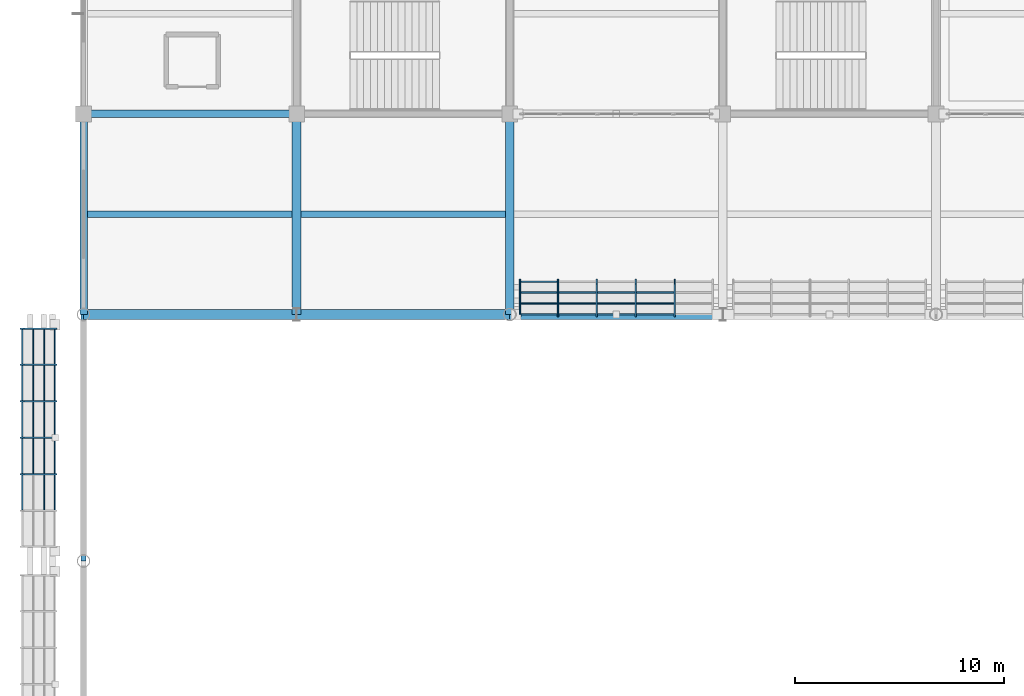
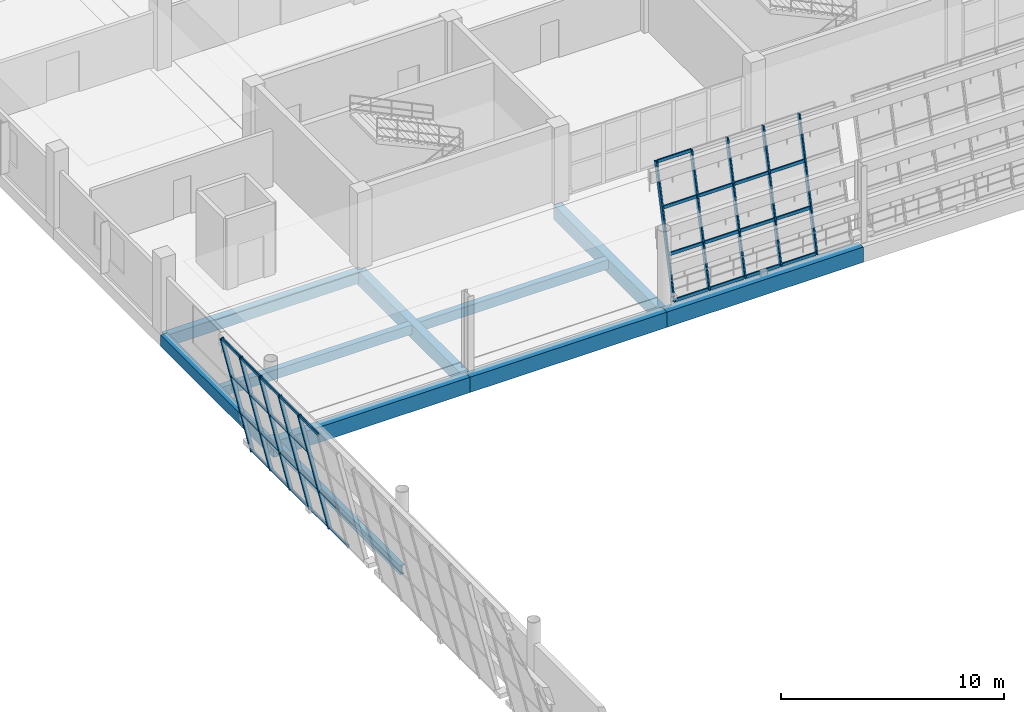
# One storey, part 33 of 157: 42 members, 10 beams, 2 elements without a shape of their own.
"""IFC4 building model written with IfcOpenShell, lengths in metres."""

from ifc_helpers import new_model, si_unit, direction, frame, origin, origin_2d, place, context, subcontext, project, spatial, rectangle, hollow_rectangle, i_section, extrude, material, material_profile, profile_set, type_object, element, aggregate, save


model = new_model("IFC4")

# Units and contexts
model_context = context("Model", 3, precision=1e-05, world=origin(), true_north=direction((0.0, 1.0)))
body_context = subcontext(model_context, "Body", "Model", "MODEL_VIEW")
ifc_project = project(units=[si_unit("LENGTHUNIT", "METRE"), si_unit("AREAUNIT", "SQUARE_METRE"), si_unit("VOLUMEUNIT", "CUBIC_METRE"), si_unit("PLANEANGLEUNIT", "RADIAN"), si_unit("MASSUNIT", "GRAM", prefix="KILO")], contexts=[model_context])

# Site, building, storey
site_placement = place(None, origin())
site = spatial("IfcSite", under=ifc_project, at=site_placement, CompositionType="ELEMENT")
building_placement = place(site_placement, origin())
building = spatial("IfcBuilding", under=site, at=building_placement, Name="Brelvane Convention Centre", CompositionType="ELEMENT")
storey_placement = place(building_placement, frame((0.0, 0.0, 10.800048828125)))
storey = spatial("IfcBuildingStorey", under=building, at=storey_placement, Name="L02", CompositionType="ELEMENT", Elevation=10.800048828125)

# Curtain wall, members
ifc_material_1 = material(Name="Anodised Aluminium Alloy 6063-T6", Category="aluminium")
curtain_wall_type_1 = type_object("IfcCurtainWallType", Name="Curtain Wall CW-HULL-N", PredefinedType="USERDEFINED", material=ifc_material_1)
curtain_wall_1_placement = place(storey_placement, origin())
curtain_wall_1 = element("IfcCurtainWall", 1, at=curtain_wall_1_placement, inside=storey, type_object=curtain_wall_type_1, Name="Curtain Wall CW-HULL-N L02-V1N-HULL-03", ObjectType="UNITISED", PredefinedType="USERDEFINED")
ifc_material_2 = material(Name="Anodised Aluminium Alloy 6063-T6", Category="aluminium")
ifc_material_profile_1 = material_profile(ifc_material_2, hollow_rectangle(XDim=0.080078125, YDim=0.239990234375, WallThickness=0.006103515625, InnerFilletRadius=0.006103515625, OuterFilletRadius=0.011962890625, at=origin_2d()), Name="ALU-M 240x80x6.0")
ifc_profile_set_1 = profile_set([ifc_material_profile_1], Name="Anodised Aluminium Alloy 6063-T6")
member_type_1 = type_object("IfcMemberType", Name="Curtain Mullion CW-M1", PredefinedType="MULLION", material=ifc_profile_set_1)
member_1_placement = place(storey_placement, frame((20.889892578125, 99.60009765625, 0.0), z_axis=(0.0, 0.228324840492, 0.973585007698), x_axis=(-1.0, 0.0, 0.0)))
member_1 = element("IfcMember", 2, at=member_1_placement, type_object=member_type_1, Name="CW-HULL-N mullion 1", PredefinedType="MULLION", context=body_context, shape_type="SweptSolid", body=[
    extrude(hollow_rectangle(XDim=0.080078125, YDim=0.239990234375, WallThickness=0.006103515625, InnerFilletRadius=0.006103515625, OuterFilletRadius=0.011962890625, at=origin_2d()), origin(), (0.0, 0.0, 1.0), 6.93310546875),
])
member_2_placement = place(storey_placement, frame((22.7099609375, 99.60009765625, 0.0), z_axis=(0.0, 0.228324840492, 0.973585007698), x_axis=(-1.0, 0.0, 0.0)))
member_2 = element("IfcMember", 3, at=member_2_placement, type_object=member_type_1, Name="CW-HULL-N mullion 2", PredefinedType="MULLION", context=body_context, shape_type="SweptSolid", body=[
    extrude(hollow_rectangle(XDim=0.080078125, YDim=0.239990234375, WallThickness=0.006103515625, InnerFilletRadius=0.006103515625, OuterFilletRadius=0.011962890625, at=origin_2d()), origin(), (0.0, 0.0, 1.0), 6.93310546875),
])
member_3_placement = place(storey_placement, frame((24.570068359375, 99.60009765625, 0.0), z_axis=(0.0, 0.228324840492, 0.973585007698), x_axis=(-1.0, 0.0, 0.0)))
member_3 = element("IfcMember", 4, at=member_3_placement, type_object=member_type_1, Name="CW-HULL-N mullion 3", PredefinedType="MULLION", context=body_context, shape_type="SweptSolid", body=[
    extrude(hollow_rectangle(XDim=0.080078125, YDim=0.239990234375, WallThickness=0.006103515625, InnerFilletRadius=0.006103515625, OuterFilletRadius=0.011962890625, at=origin_2d()), origin(), (0.0, 0.0, 1.0), 6.93310546875),
])
member_4_placement = place(storey_placement, frame((26.429931640625, 99.60009765625, 0.0), z_axis=(0.0, 0.228324840492, 0.973585007698), x_axis=(-1.0, 0.0, 0.0)))
member_4 = element("IfcMember", 5, at=member_4_placement, type_object=member_type_1, Name="CW-HULL-N mullion 4", PredefinedType="MULLION", context=body_context, shape_type="SweptSolid", body=[
    extrude(hollow_rectangle(XDim=0.080078125, YDim=0.239990234375, WallThickness=0.006103515625, InnerFilletRadius=0.006103515625, OuterFilletRadius=0.011962890625, at=origin_2d()), origin(), (0.0, 0.0, 1.0), 6.93310546875),
])
member_5_placement = place(storey_placement, frame((28.2900390625, 99.60009765625, 0.0), z_axis=(0.0, 0.228324840492, 0.973585007698), x_axis=(-1.0, 0.0, 0.0)))
member_5 = element("IfcMember", 6, at=member_5_placement, type_object=member_type_1, Name="CW-HULL-N mullion 5", PredefinedType="MULLION", context=body_context, shape_type="SweptSolid", body=[
    extrude(hollow_rectangle(XDim=0.080078125, YDim=0.239990234375, WallThickness=0.006103515625, InnerFilletRadius=0.006103515625, OuterFilletRadius=0.011962890625, at=origin_2d()), origin(), (0.0, 0.0, 1.0), 6.93310546875),
])

ifc_material_3 = material(Name="Anodised Aluminium Alloy 6063-T6", Category="aluminium")
curtain_wall_type_2 = type_object("IfcCurtainWallType", Name="Curtain Wall CW-HULL-S", PredefinedType="USERDEFINED", material=ifc_material_3)
curtain_wall_2_placement = place(storey_placement, origin())
curtain_wall_2 = element("IfcCurtainWall", 7, at=curtain_wall_2_placement, inside=storey, type_object=curtain_wall_type_2, Name="Curtain Wall CW-HULL-S L02-HULL-W-L02-6", ObjectType="UNITISED", PredefinedType="USERDEFINED")
ifc_material_4 = material(Name="Anodised Aluminium Alloy 6063-T6", Category="aluminium")
ifc_material_profile_2 = material_profile(ifc_material_4, hollow_rectangle(XDim=0.074951171875, YDim=0.199951171875, WallThickness=0.0048828125, InnerFilletRadius=0.0048828125, OuterFilletRadius=0.010009765625, at=origin_2d()), Name="ALU-M 200x75x5.0")
ifc_profile_set_2 = profile_set([ifc_material_profile_2], Name="Anodised Aluminium Alloy 6063-T6")
member_type_2 = type_object("IfcMemberType", Name="Curtain Mullion CW-M2", PredefinedType="MULLION", material=ifc_profile_set_2)
member_6_placement = place(storey_placement, frame((-1.360107421875, 91.949951171875, 0.0), z_axis=(-0.228324840492, 0.0, 0.973585007698), x_axis=(0.0, -1.0, 0.0)))
member_6 = element("IfcMember", 8, at=member_6_placement, type_object=member_type_2, Name="CW-HULL-S mullion 3", PredefinedType="MULLION", context=body_context, shape_type="SweptSolid", body=[
    extrude(hollow_rectangle(XDim=0.074951171875, YDim=0.199951171875, WallThickness=0.0048828125, InnerFilletRadius=0.0048828125, OuterFilletRadius=0.010009765625, at=origin_2d()), origin(), (0.0, 0.0, 1.0), 6.93310546875),
])
member_7_placement = place(storey_placement, frame((-1.360107421875, 93.699951171875, 0.0), z_axis=(-0.228324840492, 0.0, 0.973585007698), x_axis=(0.0, -1.0, 0.0)))
member_7 = element("IfcMember", 9, at=member_7_placement, type_object=member_type_2, Name="CW-HULL-S mullion 4", PredefinedType="MULLION", context=body_context, shape_type="SweptSolid", body=[
    extrude(hollow_rectangle(XDim=0.074951171875, YDim=0.199951171875, WallThickness=0.0048828125, InnerFilletRadius=0.0048828125, OuterFilletRadius=0.010009765625, at=origin_2d()), origin(), (0.0, 0.0, 1.0), 6.93310546875),
])
member_8_placement = place(storey_placement, frame((-1.360107421875, 95.449951171875, 0.0), z_axis=(-0.228324840492, 0.0, 0.973585007698), x_axis=(0.0, -1.0, 0.0)))
member_8 = element("IfcMember", 10, at=member_8_placement, type_object=member_type_2, Name="CW-HULL-S mullion 5", PredefinedType="MULLION", context=body_context, shape_type="SweptSolid", body=[
    extrude(hollow_rectangle(XDim=0.074951171875, YDim=0.199951171875, WallThickness=0.0048828125, InnerFilletRadius=0.0048828125, OuterFilletRadius=0.010009765625, at=origin_2d()), origin(), (0.0, 0.0, 1.0), 6.93310546875),
])
member_9_placement = place(storey_placement, frame((-1.360107421875, 97.199951171875, 0.0), z_axis=(-0.228324840492, 0.0, 0.973585007698), x_axis=(0.0, -1.0, 0.0)))
member_9 = element("IfcMember", 11, at=member_9_placement, type_object=member_type_2, Name="CW-HULL-S mullion 6", PredefinedType="MULLION", context=body_context, shape_type="SweptSolid", body=[
    extrude(hollow_rectangle(XDim=0.074951171875, YDim=0.199951171875, WallThickness=0.0048828125, InnerFilletRadius=0.0048828125, OuterFilletRadius=0.010009765625, at=origin_2d()), origin(), (0.0, 0.0, 1.0), 6.93310546875),
])
member_10_placement = place(storey_placement, frame((-1.360107421875, 98.91259765625, 0.0), z_axis=(-0.228324840492, 0.0, 0.973585007698), x_axis=(0.0, -1.0, 0.0)))
member_10 = element("IfcMember", 12, at=member_10_placement, type_object=member_type_2, Name="CW-HULL-S mullion 7", PredefinedType="MULLION", context=body_context, shape_type="SweptSolid", body=[
    extrude(hollow_rectangle(XDim=0.074951171875, YDim=0.199951171875, WallThickness=0.0048828125, InnerFilletRadius=0.0048828125, OuterFilletRadius=0.010009765625, at=origin_2d()), origin(), (0.0, 0.0, 1.0), 6.93310546875),
])

# Member
ifc_material_5 = material(Name="Anodised Aluminium Alloy 6063-T6", Category="aluminium")
ifc_material_profile_3 = material_profile(ifc_material_5, hollow_rectangle(XDim=0.080078125, YDim=0.179931640625, WallThickness=0.0048828125, InnerFilletRadius=0.0048828125, OuterFilletRadius=0.010009765625, at=origin_2d()), Name="ALU-T 180x80x5.0")
ifc_profile_set_3 = profile_set([ifc_material_profile_3], Name="Anodised Aluminium Alloy 6063-T6")
member_type_3 = type_object("IfcMemberType", Name="Curtain Transom CW-T1", PredefinedType="USERDEFINED", material=ifc_profile_set_3)
member_11_placement = place(storey_placement, frame((20.929931640625, 99.609375, 0.0400390625), z_axis=(1.0, 0.0, 0.0), x_axis=(0.0, 1.0, 0.0)))
member_11 = element("IfcMember", 13, at=member_11_placement, type_object=member_type_3, Name="CW-HULL-N transom 1.1", ObjectType="TRANSOM", PredefinedType="USERDEFINED", context=body_context, shape_type="SweptSolid", body=[
    extrude(hollow_rectangle(XDim=0.080078125, YDim=0.179931640625, WallThickness=0.0048828125, InnerFilletRadius=0.0048828125, OuterFilletRadius=0.010009765625, at=origin_2d()), origin(), (0.0, 0.0, 1.0), 1.739990234375),
])

member_12_placement = place(storey_placement, frame((20.929931640625, 100.127685546875, 2.25), z_axis=(1.0, 0.0, 0.0), x_axis=(0.0, 1.0, 0.0)))
member_12 = element("IfcMember", 14, at=member_12_placement, type_object=member_type_3, Name="CW-HULL-N transom 1.2", ObjectType="TRANSOM", PredefinedType="USERDEFINED", context=body_context, shape_type="SweptSolid", body=[
    extrude(hollow_rectangle(XDim=0.080078125, YDim=0.179931640625, WallThickness=0.0048828125, InnerFilletRadius=0.0048828125, OuterFilletRadius=0.010009765625, at=origin_2d()), origin(), (0.0, 0.0, 1.0), 1.739990234375),
])

member_13_placement = place(storey_placement, frame((20.929931640625, 100.655517578125, 4.5), z_axis=(1.0, 0.0, 0.0), x_axis=(0.0, 1.0, 0.0)))
member_13 = element("IfcMember", 15, at=member_13_placement, type_object=member_type_3, Name="CW-HULL-N transom 1.3", ObjectType="TRANSOM", PredefinedType="USERDEFINED", context=body_context, shape_type="SweptSolid", body=[
    extrude(hollow_rectangle(XDim=0.080078125, YDim=0.179931640625, WallThickness=0.0048828125, InnerFilletRadius=0.0048828125, OuterFilletRadius=0.010009765625, at=origin_2d()), origin(), (0.0, 0.0, 1.0), 1.739990234375),
])

member_14_placement = place(storey_placement, frame((20.929931640625, 101.173828125, 6.7099609375), z_axis=(1.0, 0.0, 0.0), x_axis=(0.0, 1.0, 0.0)))
member_14 = element("IfcMember", 16, at=member_14_placement, type_object=member_type_3, Name="CW-HULL-N transom 1.4", ObjectType="TRANSOM", PredefinedType="USERDEFINED", context=body_context, shape_type="SweptSolid", body=[
    extrude(hollow_rectangle(XDim=0.080078125, YDim=0.179931640625, WallThickness=0.0048828125, InnerFilletRadius=0.0048828125, OuterFilletRadius=0.010009765625, at=origin_2d()), origin(), (0.0, 0.0, 1.0), 1.739990234375),
])

member_15_placement = place(storey_placement, frame((22.75, 99.609375, 0.0400390625), z_axis=(1.0, 0.0, 0.0), x_axis=(0.0, 1.0, 0.0)))
member_15 = element("IfcMember", 17, at=member_15_placement, type_object=member_type_3, Name="CW-HULL-N transom 2.1", ObjectType="TRANSOM", PredefinedType="USERDEFINED", context=body_context, shape_type="SweptSolid", body=[
    extrude(hollow_rectangle(XDim=0.080078125, YDim=0.179931640625, WallThickness=0.0048828125, InnerFilletRadius=0.0048828125, OuterFilletRadius=0.010009765625, at=origin_2d()), origin(), (0.0, 0.0, 1.0), 1.780029296875),
])

member_16_placement = place(storey_placement, frame((22.75, 100.127685546875, 2.25), z_axis=(1.0, 0.0, 0.0), x_axis=(0.0, 1.0, 0.0)))
member_16 = element("IfcMember", 18, at=member_16_placement, type_object=member_type_3, Name="CW-HULL-N transom 2.2", ObjectType="TRANSOM", PredefinedType="USERDEFINED", context=body_context, shape_type="SweptSolid", body=[
    extrude(hollow_rectangle(XDim=0.080078125, YDim=0.179931640625, WallThickness=0.0048828125, InnerFilletRadius=0.0048828125, OuterFilletRadius=0.010009765625, at=origin_2d()), origin(), (0.0, 0.0, 1.0), 1.780029296875),
])

member_17_placement = place(storey_placement, frame((22.75, 100.655517578125, 4.5), z_axis=(1.0, 0.0, 0.0), x_axis=(0.0, 1.0, 0.0)))
member_17 = element("IfcMember", 19, at=member_17_placement, type_object=member_type_3, Name="CW-HULL-N transom 2.3", ObjectType="TRANSOM", PredefinedType="USERDEFINED", context=body_context, shape_type="SweptSolid", body=[
    extrude(hollow_rectangle(XDim=0.080078125, YDim=0.179931640625, WallThickness=0.0048828125, InnerFilletRadius=0.0048828125, OuterFilletRadius=0.010009765625, at=origin_2d()), origin(), (0.0, 0.0, 1.0), 1.780029296875),
])

member_18_placement = place(storey_placement, frame((24.610107421875, 99.609375, 0.0400390625), z_axis=(1.0, 0.0, 0.0), x_axis=(0.0, 1.0, 0.0)))
member_18 = element("IfcMember", 20, at=member_18_placement, type_object=member_type_3, Name="CW-HULL-N transom 3.1", ObjectType="TRANSOM", PredefinedType="USERDEFINED", context=body_context, shape_type="SweptSolid", body=[
    extrude(hollow_rectangle(XDim=0.080078125, YDim=0.179931640625, WallThickness=0.0048828125, InnerFilletRadius=0.0048828125, OuterFilletRadius=0.010009765625, at=origin_2d()), origin(), (0.0, 0.0, 1.0), 1.77978515625),
])

member_19_placement = place(storey_placement, frame((24.610107421875, 100.127685546875, 2.25), z_axis=(1.0, 0.0, 0.0), x_axis=(0.0, 1.0, 0.0)))
member_19 = element("IfcMember", 21, at=member_19_placement, type_object=member_type_3, Name="CW-HULL-N transom 3.2", ObjectType="TRANSOM", PredefinedType="USERDEFINED", context=body_context, shape_type="SweptSolid", body=[
    extrude(hollow_rectangle(XDim=0.080078125, YDim=0.179931640625, WallThickness=0.0048828125, InnerFilletRadius=0.0048828125, OuterFilletRadius=0.010009765625, at=origin_2d()), origin(), (0.0, 0.0, 1.0), 1.77978515625),
])

member_20_placement = place(storey_placement, frame((24.610107421875, 100.655517578125, 4.5), z_axis=(1.0, 0.0, 0.0), x_axis=(0.0, 1.0, 0.0)))
member_20 = element("IfcMember", 22, at=member_20_placement, type_object=member_type_3, Name="CW-HULL-N transom 3.3", ObjectType="TRANSOM", PredefinedType="USERDEFINED", context=body_context, shape_type="SweptSolid", body=[
    extrude(hollow_rectangle(XDim=0.080078125, YDim=0.179931640625, WallThickness=0.0048828125, InnerFilletRadius=0.0048828125, OuterFilletRadius=0.010009765625, at=origin_2d()), origin(), (0.0, 0.0, 1.0), 1.77978515625),
])

member_21_placement = place(storey_placement, frame((26.469970703125, 99.609375, 0.0400390625), z_axis=(1.0, 0.0, 0.0), x_axis=(0.0, 1.0, 0.0)))
member_21 = element("IfcMember", 23, at=member_21_placement, type_object=member_type_3, Name="CW-HULL-N transom 4.1", ObjectType="TRANSOM", PredefinedType="USERDEFINED", context=body_context, shape_type="SweptSolid", body=[
    extrude(hollow_rectangle(XDim=0.080078125, YDim=0.179931640625, WallThickness=0.0048828125, InnerFilletRadius=0.0048828125, OuterFilletRadius=0.010009765625, at=origin_2d()), origin(), (0.0, 0.0, 1.0), 1.780029296875),
])

member_22_placement = place(storey_placement, frame((26.469970703125, 100.127685546875, 2.25), z_axis=(1.0, 0.0, 0.0), x_axis=(0.0, 1.0, 0.0)))
member_22 = element("IfcMember", 24, at=member_22_placement, type_object=member_type_3, Name="CW-HULL-N transom 4.2", ObjectType="TRANSOM", PredefinedType="USERDEFINED", context=body_context, shape_type="SweptSolid", body=[
    extrude(hollow_rectangle(XDim=0.080078125, YDim=0.179931640625, WallThickness=0.0048828125, InnerFilletRadius=0.0048828125, OuterFilletRadius=0.010009765625, at=origin_2d()), origin(), (0.0, 0.0, 1.0), 1.780029296875),
])

member_23_placement = place(storey_placement, frame((26.469970703125, 100.655517578125, 4.5), z_axis=(1.0, 0.0, 0.0), x_axis=(0.0, 1.0, 0.0)))
member_23 = element("IfcMember", 25, at=member_23_placement, type_object=member_type_3, Name="CW-HULL-N transom 4.3", ObjectType="TRANSOM", PredefinedType="USERDEFINED", context=body_context, shape_type="SweptSolid", body=[
    extrude(hollow_rectangle(XDim=0.080078125, YDim=0.179931640625, WallThickness=0.0048828125, InnerFilletRadius=0.0048828125, OuterFilletRadius=0.010009765625, at=origin_2d()), origin(), (0.0, 0.0, 1.0), 1.780029296875),
])

aggregate(curtain_wall_1, [member_1, member_2, member_3, member_4, member_5, member_11, member_12, member_13, member_14, member_15, member_16, member_17, member_18, member_19, member_20, member_21, member_22, member_23])

ifc_material_6 = material(Name="Anodised Aluminium Alloy 6063-T6", Category="aluminium")
ifc_material_profile_4 = material_profile(ifc_material_6, hollow_rectangle(XDim=0.070068359375, YDim=0.14990234375, WallThickness=0.00439453125, InnerFilletRadius=0.00439453125, OuterFilletRadius=0.009033203125, at=origin_2d()), Name="ALU-T 150x70x4.5")
ifc_profile_set_4 = profile_set([ifc_material_profile_4], Name="Anodised Aluminium Alloy 6063-T6")
member_type_4 = type_object("IfcMemberType", Name="Curtain Transom CW-T2", PredefinedType="USERDEFINED", material=ifc_profile_set_4)
member_24_placement = place(storey_placement, frame((-1.3681640625, 90.237548828125, 0.034912109375), z_axis=(0.0, 1.0, 0.0), x_axis=(-1.0, 0.0, 0.0)))
member_24 = element("IfcMember", 26, at=member_24_placement, type_object=member_type_4, Name="CW-HULL-S transom 2.1", ObjectType="TRANSOM", PredefinedType="USERDEFINED", context=body_context, shape_type="SweptSolid", body=[
    extrude(hollow_rectangle(XDim=0.070068359375, YDim=0.14990234375, WallThickness=0.00439453125, InnerFilletRadius=0.00439453125, OuterFilletRadius=0.009033203125, at=origin_2d()), origin(), (0.0, 0.0, 1.0), 1.675048828125),
])

member_25_placement = place(storey_placement, frame((-1.8876953125, 90.237548828125, 2.25), z_axis=(0.0, 1.0, 0.0), x_axis=(-1.0, 0.0, 0.0)))
member_25 = element("IfcMember", 27, at=member_25_placement, type_object=member_type_4, Name="CW-HULL-S transom 2.2", ObjectType="TRANSOM", PredefinedType="USERDEFINED", context=body_context, shape_type="SweptSolid", body=[
    extrude(hollow_rectangle(XDim=0.070068359375, YDim=0.14990234375, WallThickness=0.00439453125, InnerFilletRadius=0.00439453125, OuterFilletRadius=0.009033203125, at=origin_2d()), origin(), (0.0, 0.0, 1.0), 1.675048828125),
])

member_26_placement = place(storey_placement, frame((-2.93505859375, 90.237548828125, 6.71484375), z_axis=(0.0, 1.0, 0.0), x_axis=(-1.0, 0.0, 0.0)))
member_26 = element("IfcMember", 28, at=member_26_placement, type_object=member_type_4, Name="CW-HULL-S transom 2.4", ObjectType="TRANSOM", PredefinedType="USERDEFINED", context=body_context, shape_type="SweptSolid", body=[
    extrude(hollow_rectangle(XDim=0.070068359375, YDim=0.14990234375, WallThickness=0.00439453125, InnerFilletRadius=0.00439453125, OuterFilletRadius=0.009033203125, at=origin_2d()), origin(), (0.0, 0.0, 1.0), 1.675048828125),
])

member_27_placement = place(storey_placement, frame((-1.3681640625, 91.987548828125, 0.034912109375), z_axis=(0.0, 1.0, 0.0), x_axis=(-1.0, 0.0, 0.0)))
member_27 = element("IfcMember", 29, at=member_27_placement, type_object=member_type_4, Name="CW-HULL-S transom 3.1", ObjectType="TRANSOM", PredefinedType="USERDEFINED", context=body_context, shape_type="SweptSolid", body=[
    extrude(hollow_rectangle(XDim=0.070068359375, YDim=0.14990234375, WallThickness=0.00439453125, InnerFilletRadius=0.00439453125, OuterFilletRadius=0.009033203125, at=origin_2d()), origin(), (0.0, 0.0, 1.0), 1.675048828125),
])

member_28_placement = place(storey_placement, frame((-1.8876953125, 91.987548828125, 2.25), z_axis=(0.0, 1.0, 0.0), x_axis=(-1.0, 0.0, 0.0)))
member_28 = element("IfcMember", 30, at=member_28_placement, type_object=member_type_4, Name="CW-HULL-S transom 3.2", ObjectType="TRANSOM", PredefinedType="USERDEFINED", context=body_context, shape_type="SweptSolid", body=[
    extrude(hollow_rectangle(XDim=0.070068359375, YDim=0.14990234375, WallThickness=0.00439453125, InnerFilletRadius=0.00439453125, OuterFilletRadius=0.009033203125, at=origin_2d()), origin(), (0.0, 0.0, 1.0), 1.675048828125),
])

member_29_placement = place(storey_placement, frame((-2.41552734375, 91.987548828125, 4.5), z_axis=(0.0, 1.0, 0.0), x_axis=(-1.0, 0.0, 0.0)))
member_29 = element("IfcMember", 31, at=member_29_placement, type_object=member_type_4, Name="CW-HULL-S transom 3.3", ObjectType="TRANSOM", PredefinedType="USERDEFINED", context=body_context, shape_type="SweptSolid", body=[
    extrude(hollow_rectangle(XDim=0.070068359375, YDim=0.14990234375, WallThickness=0.00439453125, InnerFilletRadius=0.00439453125, OuterFilletRadius=0.009033203125, at=origin_2d()), origin(), (0.0, 0.0, 1.0), 1.675048828125),
])

member_30_placement = place(storey_placement, frame((-2.93505859375, 91.987548828125, 6.71484375), z_axis=(0.0, 1.0, 0.0), x_axis=(-1.0, 0.0, 0.0)))
member_30 = element("IfcMember", 32, at=member_30_placement, type_object=member_type_4, Name="CW-HULL-S transom 3.4", ObjectType="TRANSOM", PredefinedType="USERDEFINED", context=body_context, shape_type="SweptSolid", body=[
    extrude(hollow_rectangle(XDim=0.070068359375, YDim=0.14990234375, WallThickness=0.00439453125, InnerFilletRadius=0.00439453125, OuterFilletRadius=0.009033203125, at=origin_2d()), origin(), (0.0, 0.0, 1.0), 1.675048828125),
])

member_31_placement = place(storey_placement, frame((-1.3681640625, 93.737548828125, 0.034912109375), z_axis=(0.0, 1.0, 0.0), x_axis=(-1.0, 0.0, 0.0)))
member_31 = element("IfcMember", 33, at=member_31_placement, type_object=member_type_4, Name="CW-HULL-S transom 4.1", ObjectType="TRANSOM", PredefinedType="USERDEFINED", context=body_context, shape_type="SweptSolid", body=[
    extrude(hollow_rectangle(XDim=0.070068359375, YDim=0.14990234375, WallThickness=0.00439453125, InnerFilletRadius=0.00439453125, OuterFilletRadius=0.009033203125, at=origin_2d()), origin(), (0.0, 0.0, 1.0), 1.675048828125),
])

member_32_placement = place(storey_placement, frame((-1.8876953125, 93.737548828125, 2.25), z_axis=(0.0, 1.0, 0.0), x_axis=(-1.0, 0.0, 0.0)))
member_32 = element("IfcMember", 34, at=member_32_placement, type_object=member_type_4, Name="CW-HULL-S transom 4.2", ObjectType="TRANSOM", PredefinedType="USERDEFINED", context=body_context, shape_type="SweptSolid", body=[
    extrude(hollow_rectangle(XDim=0.070068359375, YDim=0.14990234375, WallThickness=0.00439453125, InnerFilletRadius=0.00439453125, OuterFilletRadius=0.009033203125, at=origin_2d()), origin(), (0.0, 0.0, 1.0), 1.675048828125),
])

member_33_placement = place(storey_placement, frame((-2.41552734375, 93.737548828125, 4.5), z_axis=(0.0, 1.0, 0.0), x_axis=(-1.0, 0.0, 0.0)))
member_33 = element("IfcMember", 35, at=member_33_placement, type_object=member_type_4, Name="CW-HULL-S transom 4.3", ObjectType="TRANSOM", PredefinedType="USERDEFINED", context=body_context, shape_type="SweptSolid", body=[
    extrude(hollow_rectangle(XDim=0.070068359375, YDim=0.14990234375, WallThickness=0.00439453125, InnerFilletRadius=0.00439453125, OuterFilletRadius=0.009033203125, at=origin_2d()), origin(), (0.0, 0.0, 1.0), 1.675048828125),
])

member_34_placement = place(storey_placement, frame((-2.93505859375, 93.737548828125, 6.71484375), z_axis=(0.0, 1.0, 0.0), x_axis=(-1.0, 0.0, 0.0)))
member_34 = element("IfcMember", 36, at=member_34_placement, type_object=member_type_4, Name="CW-HULL-S transom 4.4", ObjectType="TRANSOM", PredefinedType="USERDEFINED", context=body_context, shape_type="SweptSolid", body=[
    extrude(hollow_rectangle(XDim=0.070068359375, YDim=0.14990234375, WallThickness=0.00439453125, InnerFilletRadius=0.00439453125, OuterFilletRadius=0.009033203125, at=origin_2d()), origin(), (0.0, 0.0, 1.0), 1.675048828125),
])

member_35_placement = place(storey_placement, frame((-1.3681640625, 95.487548828125, 0.034912109375), z_axis=(0.0, 1.0, 0.0), x_axis=(-1.0, 0.0, 0.0)))
member_35 = element("IfcMember", 37, at=member_35_placement, type_object=member_type_4, Name="CW-HULL-S transom 5.1", ObjectType="TRANSOM", PredefinedType="USERDEFINED", context=body_context, shape_type="SweptSolid", body=[
    extrude(hollow_rectangle(XDim=0.070068359375, YDim=0.14990234375, WallThickness=0.00439453125, InnerFilletRadius=0.00439453125, OuterFilletRadius=0.009033203125, at=origin_2d()), origin(), (0.0, 0.0, 1.0), 1.675048828125),
])

member_36_placement = place(storey_placement, frame((-1.8876953125, 95.487548828125, 2.25), z_axis=(0.0, 1.0, 0.0), x_axis=(-1.0, 0.0, 0.0)))
member_36 = element("IfcMember", 38, at=member_36_placement, type_object=member_type_4, Name="CW-HULL-S transom 5.2", ObjectType="TRANSOM", PredefinedType="USERDEFINED", context=body_context, shape_type="SweptSolid", body=[
    extrude(hollow_rectangle(XDim=0.070068359375, YDim=0.14990234375, WallThickness=0.00439453125, InnerFilletRadius=0.00439453125, OuterFilletRadius=0.009033203125, at=origin_2d()), origin(), (0.0, 0.0, 1.0), 1.675048828125),
])

member_37_placement = place(storey_placement, frame((-2.41552734375, 95.487548828125, 4.5), z_axis=(0.0, 1.0, 0.0), x_axis=(-1.0, 0.0, 0.0)))
member_37 = element("IfcMember", 39, at=member_37_placement, type_object=member_type_4, Name="CW-HULL-S transom 5.3", ObjectType="TRANSOM", PredefinedType="USERDEFINED", context=body_context, shape_type="SweptSolid", body=[
    extrude(hollow_rectangle(XDim=0.070068359375, YDim=0.14990234375, WallThickness=0.00439453125, InnerFilletRadius=0.00439453125, OuterFilletRadius=0.009033203125, at=origin_2d()), origin(), (0.0, 0.0, 1.0), 1.675048828125),
])

member_38_placement = place(storey_placement, frame((-2.93505859375, 95.487548828125, 6.71484375), z_axis=(0.0, 1.0, 0.0), x_axis=(-1.0, 0.0, 0.0)))
member_38 = element("IfcMember", 40, at=member_38_placement, type_object=member_type_4, Name="CW-HULL-S transom 5.4", ObjectType="TRANSOM", PredefinedType="USERDEFINED", context=body_context, shape_type="SweptSolid", body=[
    extrude(hollow_rectangle(XDim=0.070068359375, YDim=0.14990234375, WallThickness=0.00439453125, InnerFilletRadius=0.00439453125, OuterFilletRadius=0.009033203125, at=origin_2d()), origin(), (0.0, 0.0, 1.0), 1.675048828125),
])

member_39_placement = place(storey_placement, frame((-1.3681640625, 97.237548828125, 0.034912109375), z_axis=(0.0, 1.0, 0.0), x_axis=(-1.0, 0.0, 0.0)))
member_39 = element("IfcMember", 41, at=member_39_placement, type_object=member_type_4, Name="CW-HULL-S transom 6.1", ObjectType="TRANSOM", PredefinedType="USERDEFINED", context=body_context, shape_type="SweptSolid", body=[
    extrude(hollow_rectangle(XDim=0.070068359375, YDim=0.14990234375, WallThickness=0.00439453125, InnerFilletRadius=0.00439453125, OuterFilletRadius=0.009033203125, at=origin_2d()), origin(), (0.0, 0.0, 1.0), 1.637451171875),
])

member_40_placement = place(storey_placement, frame((-1.8876953125, 97.237548828125, 2.25), z_axis=(0.0, 1.0, 0.0), x_axis=(-1.0, 0.0, 0.0)))
member_40 = element("IfcMember", 42, at=member_40_placement, type_object=member_type_4, Name="CW-HULL-S transom 6.2", ObjectType="TRANSOM", PredefinedType="USERDEFINED", context=body_context, shape_type="SweptSolid", body=[
    extrude(hollow_rectangle(XDim=0.070068359375, YDim=0.14990234375, WallThickness=0.00439453125, InnerFilletRadius=0.00439453125, OuterFilletRadius=0.009033203125, at=origin_2d()), origin(), (0.0, 0.0, 1.0), 1.637451171875),
])

member_41_placement = place(storey_placement, frame((-2.41552734375, 97.237548828125, 4.5), z_axis=(0.0, 1.0, 0.0), x_axis=(-1.0, 0.0, 0.0)))
member_41 = element("IfcMember", 43, at=member_41_placement, type_object=member_type_4, Name="CW-HULL-S transom 6.3", ObjectType="TRANSOM", PredefinedType="USERDEFINED", context=body_context, shape_type="SweptSolid", body=[
    extrude(hollow_rectangle(XDim=0.070068359375, YDim=0.14990234375, WallThickness=0.00439453125, InnerFilletRadius=0.00439453125, OuterFilletRadius=0.009033203125, at=origin_2d()), origin(), (0.0, 0.0, 1.0), 1.637451171875),
])

member_42_placement = place(storey_placement, frame((-2.93505859375, 97.237548828125, 6.71484375), z_axis=(0.0, 1.0, 0.0), x_axis=(-1.0, 0.0, 0.0)))
member_42 = element("IfcMember", 44, at=member_42_placement, type_object=member_type_4, Name="CW-HULL-S transom 6.4", ObjectType="TRANSOM", PredefinedType="USERDEFINED", context=body_context, shape_type="SweptSolid", body=[
    extrude(hollow_rectangle(XDim=0.070068359375, YDim=0.14990234375, WallThickness=0.00439453125, InnerFilletRadius=0.00439453125, OuterFilletRadius=0.009033203125, at=origin_2d()), origin(), (0.0, 0.0, 1.0), 1.637451171875),
])

aggregate(curtain_wall_2, [member_6, member_7, member_8, member_9, member_10, member_24, member_25, member_26, member_27, member_28, member_29, member_30, member_31, member_32, member_33, member_34, member_35, member_36, member_37, member_38, member_39, member_40, member_41, member_42])

# Beams
ifc_material_7 = material(Name="Concrete M40", Category="concrete")
ifc_material_profile_5 = material_profile(ifc_material_7, rectangle(XDim=0.4599609375, YDim=0.840087890625, at=origin_2d()), Name="RC 460x840")
ifc_profile_set_5 = profile_set([ifc_material_profile_5], Name="Concrete M40")
beam_type_1 = type_object("IfcBeamType", Name="RC Beam B-RC11 (RC 460x840)", PredefinedType="BEAM", material=ifc_profile_set_5)
for number, where, z_axis, x_axis, name in (
    (45, (0.0, 99.60009765625, -0.699951171875), (1.0, 0.0, 0.0), (0.0, 1.0, 0.0), "L02 Beam 1-2/K"),
    (46, (10.199951171875, 99.60009765625, -0.699951171875), (1.0, 0.0, 0.0), (0.0, 1.0, 0.0), "L02 Beam 2-3/K"),
):
    element("IfcBeam", number, at=place(storey_placement, frame(where, z_axis=z_axis, x_axis=x_axis)), inside=storey, type_object=beam_type_1, Name=name, PredefinedType="BEAM", context=body_context, shape_type="SweptSolid", body=[
        extrude(rectangle(XDim=0.4599609375, YDim=0.840087890625, at=origin_2d()), origin(), (0.0, 0.0, 1.0), 10.199951171875),
    ])
beam_1_placement = place(storey_placement, frame((20.39990234375, 99.60009765625, -0.699951171875), z_axis=(1.0, 0.0, 0.0), x_axis=(0.0, 1.0, 0.0)))
element("IfcBeam", 47, at=beam_1_placement, inside=storey, type_object=beam_type_1, Name="L02 Beam 3-4/K", PredefinedType="BEAM", context=body_context, shape_type="SweptSolid", body=[
    extrude(rectangle(XDim=0.4599609375, YDim=0.840087890625, at=origin_2d()), origin(), (0.0, 0.0, 1.0), 10.2001953125),
])
ifc_material_8 = material(Name="Concrete M40", Category="concrete")
ifc_material_profile_6 = material_profile(ifc_material_8, rectangle(XDim=0.419921875, YDim=0.780029296875, at=origin_2d()), Name="RC 420x780")
ifc_profile_set_6 = profile_set([ifc_material_profile_6], Name="Concrete M40")
beam_type_2 = type_object("IfcBeamType", Name="RC Beam B-RC12 (RC 420x780)", PredefinedType="BEAM", material=ifc_profile_set_6)
for number, where, z_axis, x_axis, name in (
    (48, (10.199951171875, 99.60009765625, -0.670166015625), (0.0, 1.0, 0.0), (-1.0, 0.0, 0.0), "L02 Girder 2/K-L"),
    (49, (20.39990234375, 99.60009765625, -0.670166015625), (0.0, 1.0, 0.0), (-1.0, 0.0, 0.0), "L02 Girder 3/K-L"),
):
    element("IfcBeam", number, at=place(storey_placement, frame(where, z_axis=z_axis, x_axis=x_axis)), inside=storey, type_object=beam_type_2, Name=name, PredefinedType="BEAM", context=body_context, shape_type="SweptSolid", body=[
        extrude(rectangle(XDim=0.419921875, YDim=0.780029296875, at=origin_2d()), origin(), (0.0, 0.0, 1.0), 9.599853515625),
    ])
ifc_material_9 = material(Name="Concrete M40", Category="concrete")
ifc_material_profile_7 = material_profile(ifc_material_9, rectangle(XDim=0.320068359375, YDim=0.52001953125, at=origin_2d()), Name="RC 320x520")
ifc_profile_set_7 = profile_set([ifc_material_profile_7], Name="Concrete M40")
beam_type_3 = type_object("IfcBeamType", Name="RC Joist J-RC4 (RC 320x520)", PredefinedType="JOIST", material=ifc_profile_set_7)
beam_2_placement = place(storey_placement, frame((0.179931640625, 104.39990234375, -0.5400390625), z_axis=(1.0, 0.0, 0.0), x_axis=(0.0, 1.0, 0.0)))
element("IfcBeam", 50, at=beam_2_placement, inside=storey, type_object=beam_type_3, Name="L02 Secondary Joist 1-2/KL", PredefinedType="JOIST", context=body_context, shape_type="SweptSolid", body=[
    extrude(rectangle(XDim=0.320068359375, YDim=0.52001953125, at=origin_2d()), origin(), (0.0, 0.0, 1.0), 9.81005859375),
])
beam_3_placement = place(storey_placement, frame((10.409912109375, 104.39990234375, -0.5400390625), z_axis=(1.0, 0.0, 0.0), x_axis=(0.0, 1.0, 0.0)))
element("IfcBeam", 51, at=beam_3_placement, inside=storey, type_object=beam_type_3, Name="L02 Secondary Joist 2-3/KL", PredefinedType="JOIST", context=body_context, shape_type="SweptSolid", body=[
    extrude(rectangle(XDim=0.320068359375, YDim=0.52001953125, at=origin_2d()), origin(), (0.0, 0.0, 1.0), 9.780029296875),
])
ifc_material_10 = material(Name="Concrete M40", Category="concrete")
ifc_material_profile_8 = material_profile(ifc_material_10, rectangle(XDim=0.360107421875, YDim=0.639892578125, at=origin_2d()), Name="RC 360x640")
ifc_profile_set_8 = profile_set([ifc_material_profile_8], Name="Concrete M40")
beam_type_4 = type_object("IfcBeamType", Name="RC Spandrel SP-RC3 (RC 360x640)", PredefinedType="SPANDREL", material=ifc_profile_set_8)
beam_4_placement = place(storey_placement, frame((0.0, 109.199951171875, -0.60009765625), z_axis=(1.0, 0.0, 0.0), x_axis=(0.0, 1.0, 0.0)))
element("IfcBeam", 52, at=beam_4_placement, inside=storey, type_object=beam_type_4, Name="L02 Beam 1-2/L", PredefinedType="SPANDREL", context=body_context, shape_type="SweptSolid", body=[
    extrude(rectangle(XDim=0.360107421875, YDim=0.639892578125, at=origin_2d()), origin(), (0.0, 0.0, 1.0), 10.199951171875),
])
beam_5_placement = place(storey_placement, frame((0.0, 99.60009765625, -0.60009765625), z_axis=(0.0, 1.0, 0.0), x_axis=(-1.0, 0.0, 0.0)))
element("IfcBeam", 53, at=beam_5_placement, inside=storey, type_object=beam_type_4, Name="L02 Girder 1/K-L", PredefinedType="SPANDREL", context=body_context, shape_type="SweptSolid", body=[
    extrude(rectangle(XDim=0.360107421875, YDim=0.639892578125, at=origin_2d()), origin(), (0.0, 0.0, 1.0), 9.599853515625),
])
ifc_material_11 = material(Name="Steel E350 (350 MPa)", Category="steel")
ifc_material_profile_9 = material_profile(ifc_material_11, i_section(OverallWidth=0.25, OverallDepth=0.5, WebThickness=0.010009765625, FlangeThickness=0.0146484375, FilletRadius=0.01611328125, at=origin_2d()), Name="ISWB 500")
ifc_profile_set_9 = profile_set([ifc_material_profile_9], Name="Steel E350 (350 MPa)")
beam_type_5 = type_object("IfcBeamType", Name="Steel Spandrel SP-ST1 (ISWB 500)", PredefinedType="SPANDREL", material=ifc_profile_set_9)
beam_6_placement = place(storey_placement, frame((0.0, 87.800048828125, -0.25), z_axis=(0.0, 1.0, 0.0), x_axis=(-1.0, 0.0, 0.0)))
element("IfcBeam", 54, at=beam_6_placement, inside=storey, type_object=beam_type_5, Name="West Hull Wall Girt L02-6", PredefinedType="SPANDREL", context=body_context, shape_type="SweptSolid", body=[
    extrude(i_section(OverallWidth=0.25, OverallDepth=0.5, WebThickness=0.010009765625, FlangeThickness=0.0146484375, FilletRadius=0.01611328125, at=origin_2d()), origin(), (0.0, 0.0, 1.0), 11.800048828125),
])

save(model, "model.ifc")
